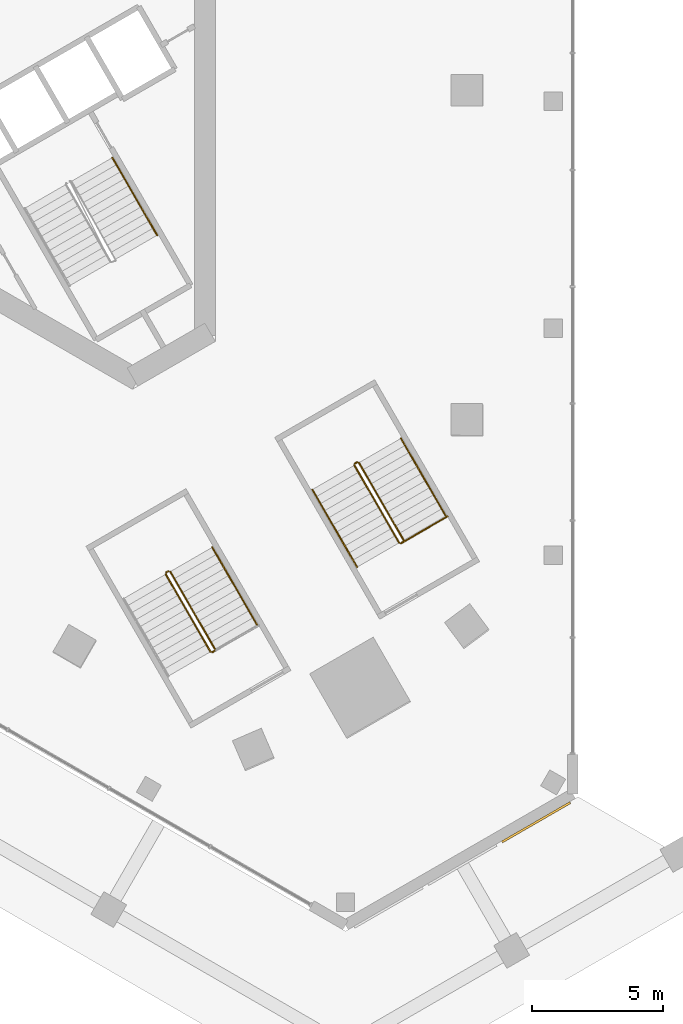
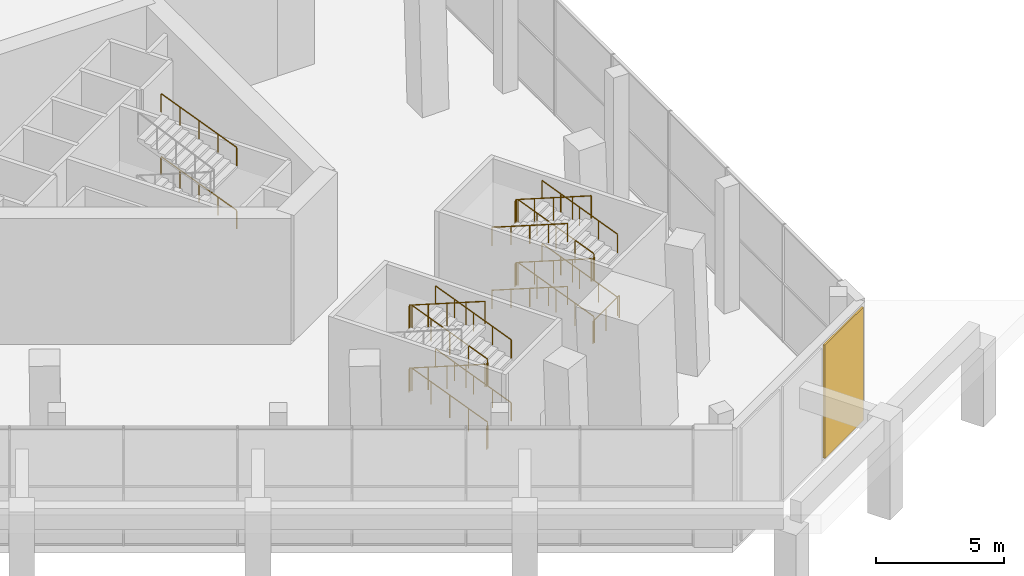
# One storey, part 42 of 51: 25 railings, 1 covering.
"""IFC4 building model written with IfcOpenShell, lengths in metres."""

import ifcopenshell
import ifcopenshell.guid

model = None  # the IFC model being written
_history = None  # IfcOwnerHistory: only IFC2X3 demands one
_inside = {}  # id of a spatial element -> (the spatial element, [elements in it])
_under = {}  # id of a project, library or spatial element -> (it, [spatial elements below it])
_declared = {}  # id of a project -> (the project, [libraries it declares])
_typed = {}  # id of a type object -> (the type object, [elements of that type])
_made_of = {}  # id of a material, layer set ... -> (it, [elements and type objects made of it])


def new_model(schema):
    """Start an empty IFC model of exactly this schema.

    Asked for "IFC4X3", IfcOpenShell would pick the latest addendum, in which some entities
    have other attributes; the version numbers below select the first issue.
    IFC2X3 requires an IfcOwnerHistory on every rooted entity: one is made here for all.
    """
    global model, _history
    if schema == "IFC4X3":
        model = ifcopenshell.file(schema_version=(4, 3, 0, 0))
    else:
        model = ifcopenshell.file(schema=schema)
    _inside.clear()
    _under.clear()
    _declared.clear()
    _typed.clear()
    _made_of.clear()
    _history = None
    if model.schema == "IFC2X3":
        org = make("IfcOrganization", Name="unknown")
        user = make(
            "IfcPersonAndOrganization",
            ThePerson=make("IfcPerson", FamilyName="unknown"),
            TheOrganization=org,
        )
        app = make(
            "IfcApplication",
            ApplicationDeveloper=org,
            Version="unknown",
            ApplicationFullName="unknown",
            ApplicationIdentifier="unknown",
        )
        _history = make(
            "IfcOwnerHistory",
            OwningUser=user,
            OwningApplication=app,
            ChangeAction="ADDED",
            CreationDate=0,
        )
    return model


def make(cls, **values):
    """One entity of the class cls with the attributes given. An attribute that is None is left unset."""
    return model.create_entity(
        cls, **{name: value for name, value in values.items() if value is not None}
    )


def rooted(cls, **values):
    """An entity with a GlobalId (a new one), such as an element, a storey or a relation."""
    return make(cls, GlobalId=ifcopenshell.guid.new(), OwnerHistory=_history, **values)


def si_unit(unit_type, name, prefix=None):
    """IfcSIUnit, for example si_unit("LENGTHUNIT", "METRE", prefix="MILLI")."""
    return make("IfcSIUnit", UnitType=unit_type, Prefix=prefix, Name=name)


def assignment(units):
    """IfcUnitAssignment: the units of a project."""
    return None if units is None else make("IfcUnitAssignment", Units=units)


def point(xyz):
    """IfcCartesianPoint."""
    return None if xyz is None else make("IfcCartesianPoint", Coordinates=xyz)


def direction(xyz):
    """IfcDirection."""
    return None if xyz is None else make("IfcDirection", DirectionRatios=xyz)


def frame(location, z_axis=None, x_axis=None):
    """IfcAxis2Placement3D, a coordinate frame: its origin and axes. An axis left out is left unset."""
    return make(
        "IfcAxis2Placement3D",
        Location=point(location),
        Axis=direction(z_axis),
        RefDirection=direction(x_axis),
    )


def frame_2d(location, x_axis=None):
    """IfcAxis2Placement2D, a coordinate frame in the plane: its origin and x axis."""
    return make(
        "IfcAxis2Placement2D", Location=point(location), RefDirection=direction(x_axis)
    )


def origin():
    """The frame at (0, 0, 0) with its axes left unset."""
    return frame((0.0, 0.0, 0.0))


def origin_2d():
    """The frame at (0, 0) in the plane with its x axis left unset."""
    return frame_2d((0.0, 0.0))


def place(relative_to, where):
    """IfcLocalPlacement: puts the frame where relative to a parent placement (None: the world)."""
    return make(
        "IfcLocalPlacement", PlacementRelTo=relative_to, RelativePlacement=where
    )


def context(
    kind, dimensions, precision=None, world=None, true_north=None, identifier=None
):
    """IfcGeometricRepresentationContext, for example the 3D "Model" context."""
    return make(
        "IfcGeometricRepresentationContext",
        ContextIdentifier=identifier,
        ContextType=kind,
        CoordinateSpaceDimension=dimensions,
        Precision=precision,
        WorldCoordinateSystem=world,
        TrueNorth=true_north,
    )


def subcontext(parent, identifier, kind, view, scale=None):
    """IfcGeometricRepresentationSubContext, for example "Body" below "Model"."""
    return make(
        "IfcGeometricRepresentationSubContext",
        ContextIdentifier=identifier,
        ContextType=kind,
        ParentContext=parent,
        TargetScale=scale,
        TargetView=view,
    )


def project(units=None, contexts=None):
    """IfcProject with its units and contexts."""
    return rooted(
        "IfcProject",
        Name="project",
        RepresentationContexts=contexts,
        UnitsInContext=assignment(units),
    )


def spatial(cls, under=None, at=None, **own):
    """A site, building, storey or space (cls), placed at a placement, below another one or the project."""
    s = rooted(cls, ObjectPlacement=at, **own)
    if under is not None:
        _under.setdefault(under.id(), (under, []))[1].append(s)
    return s


def profile(cls, at=None, kind="AREA", **sizes):
    """A parametric profile (cls). Its sizes go by their IFC names, for example OverallWidth=200.0."""
    return make(cls, ProfileType=kind, Position=at, **sizes)


def rectangle(**sizes):
    """IfcRectangleProfileDef."""
    return profile("IfcRectangleProfileDef", **sizes)


def circle(**sizes):
    """IfcCircleProfileDef."""
    return profile("IfcCircleProfileDef", **sizes)


def extrude(swept, where, along, depth):
    """IfcExtrudedAreaSolid: the profile swept, set in the frame where, extruded along a direction by depth."""
    return make(
        "IfcExtrudedAreaSolid",
        SweptArea=swept,
        Position=where,
        ExtrudedDirection=direction(along),
        Depth=depth,
    )


def shape(context_of_items, identifier, shape_type, items):
    """IfcShapeRepresentation: the items that make up one representation, for example the "Body"."""
    return make(
        "IfcShapeRepresentation",
        ContextOfItems=context_of_items,
        RepresentationIdentifier=identifier,
        RepresentationType=shape_type,
        Items=items,
    )


def material(Name=None, Category=None):
    """IfcMaterial."""
    return make("IfcMaterial", Name=Name, Category=Category)


def layer(
    of_material, thickness, ventilated=None, Name=None, Category=None, Priority=None
):
    """IfcMaterialLayer: one layer of a wall or slab, of a material (None: an air gap)."""
    return make(
        "IfcMaterialLayer",
        Material=of_material,
        LayerThickness=thickness,
        IsVentilated=ventilated,
        Name=Name,
        Category=Category,
        Priority=Priority,
    )


def layer_set(layers, Name=None):
    """IfcMaterialLayerSet."""
    return make("IfcMaterialLayerSet", MaterialLayers=layers, LayerSetName=Name)


def made_of(thing, what):
    """Note that an element or type object is made of a material, layer set ...; save() writes the relation."""
    if what is not None:
        _made_of.setdefault(what.id(), (what, []))[1].append(thing)
    return thing


def type_object(cls, material=None, **own):
    """A type object (cls), such as IfcWallType, which elements share."""
    return made_of(rooted(cls, **own), material)


def element(
    cls,
    number,
    at=None,
    inside=None,
    cuts=None,
    type_object=None,
    material=None,
    context=None,
    identifier="Body",
    shape_type=None,
    held_by="IfcProductDefinitionShape",
    body=None,
    shapes=None,
    **own,
):
    """One element of the class cls, such as IfcWall. Its Tag is "e" and its number.

    at: its placement. inside: the storey or other place that contains it. cuts: it is an
    opening in that element (IfcRelVoidsElement). A single representation is given by context,
    identifier, shape_type and body (its items); several are given by shapes. held_by: the class
    of the entity that holds the representations. save() writes the other relations.
    """
    e = rooted(cls, Tag="e%d" % number, ObjectPlacement=at, **own)
    if body is not None:
        shapes = [shape(context, identifier, shape_type, body)]
    if shapes is not None:
        e.Representation = make(held_by, Representations=shapes)
    if inside is not None:
        _inside.setdefault(inside.id(), (inside, []))[1].append(e)
    if cuts is not None:
        rooted(
            "IfcRelVoidsElement", RelatingBuildingElement=cuts, RelatedOpeningElement=e
        )
    if type_object is not None:
        _typed.setdefault(type_object.id(), (type_object, []))[1].append(e)
    return made_of(e, material)


def aggregate(whole, parts):
    """IfcRelAggregates: a whole, such as a stair, and the parts it consists of."""
    return rooted("IfcRelAggregates", RelatingObject=whole, RelatedObjects=parts)


def save(model, path):
    """Write the relations noted so far, then the file.

    IfcRelAggregates (storeys below a building ...), IfcRelContainedInSpatialStructure (elements
    in a storey), IfcRelDefinesByType, IfcRelAssociatesMaterial and IfcRelDeclares: one each for
    every whole, place, type object, material and project.
    """
    for whole, parts in _under.values():
        aggregate(whole, parts)
    for where, things in _inside.values():
        rooted(
            "IfcRelContainedInSpatialStructure",
            RelatedElements=things,
            RelatingStructure=where,
        )
    for kind, things in _typed.values():
        rooted("IfcRelDefinesByType", RelatedObjects=things, RelatingType=kind)
    for what, things in _made_of.values():
        rooted("IfcRelAssociatesMaterial", RelatedObjects=things, RelatingMaterial=what)
    for by, libraries in _declared.values():
        rooted("IfcRelDeclares", RelatingContext=by, RelatedDefinitions=libraries)
    model.write(path)


model = new_model("IFC4")

# Units and contexts
model_context = context("Model", 3, precision=1e-05, world=origin(), true_north=direction((0.0, 1.0)))
body_context = subcontext(model_context, "Body", "Model", "MODEL_VIEW")
ifc_project = project(units=[si_unit("LENGTHUNIT", "METRE"), si_unit("AREAUNIT", "SQUARE_METRE"), si_unit("VOLUMEUNIT", "CUBIC_METRE"), si_unit("PLANEANGLEUNIT", "RADIAN"), si_unit("MASSUNIT", "GRAM", prefix="KILO")], contexts=[model_context])

# Site, building, storey
site_placement = place(None, origin())
site = spatial("IfcSite", under=ifc_project, at=site_placement, CompositionType="ELEMENT")
building_placement = place(site_placement, origin())
building = spatial("IfcBuilding", under=site, at=building_placement, Name="Jabali Bay Hotel Tower and Convention Centre", CompositionType="ELEMENT")
storey_placement = place(building_placement, frame((0.0, 0.0, 9.0)))
storey = spatial("IfcBuildingStorey", under=building, at=storey_placement, Name="L01", CompositionType="ELEMENT", Elevation=9.0)

# Covering
ifc_material_1 = material(Name="Precast concrete C40/50", Category="concrete")
ifc_layer = layer(ifc_material_1, 0.080078125)
ifc_layer_set = layer_set([ifc_layer], Name="Precast concrete C40/50")
covering_type = type_object("IfcCoveringType", Name="Relief panel 3000 x 5400", PredefinedType="CLADDING", material=ifc_layer_set)
covering_placement = place(storey_placement, frame((102.1044921875, 39.5537109375, 0.10009765625), z_axis=(0.0, 0.0, 1.0), x_axis=(-0.866025402842, -0.500000001632, 0.0)))
element("IfcCovering", 1, at=covering_placement, inside=storey, type_object=covering_type, Name="Relief panel L01", PredefinedType="CLADDING", context=body_context, shape_type="SweptSolid", body=[
    extrude(rectangle(XDim=3.0, YDim=0.080078125, at=origin_2d()), origin(), (0.0, 0.0, 1.0), 5.39990234375),
])

# Railings
ifc_material_2 = material(Name="Steel Q355B", Category="steel")
railing_type_1 = type_object("IfcRailingType", Name="Stair guard 1100", PredefinedType="GUARDRAIL", material=ifc_material_2)
railing_1_placement = place(storey_placement, frame((98.72607421875, 51.205322265625, 0.0)))
element("IfcRailing", 2, at=railing_1_placement, inside=storey, type_object=railing_type_1, Name="L01 PS5 top well guard 1", PredefinedType="GUARDRAIL", context=body_context, shape_type="SweptSolid", body=[
    extrude(circle(Radius=0.02392578125, at=origin_2d()), frame((0.0, 0.0, 1.076171875), z_axis=(-0.865999163574, -0.500045446624, 0.0), x_axis=(0.500045446624, -0.865999163574, 0.0)), (0.0, 0.0, 1.0), 2.050048828125),
    extrude(circle(Radius=0.02099609375, at=origin_2d()), origin(), (0.0, 0.0, 1.0), 1.052001953125),
    extrude(circle(Radius=0.02099609375, at=origin_2d()), frame((-0.8876953125, -0.5126953125, 0.0)), (0.0, 0.0, 1.0), 1.052001953125),
    extrude(circle(Radius=0.02099609375, at=origin_2d()), frame((-1.775390625, -1.025146484375, 0.0)), (0.0, 0.0, 1.0), 1.052001953125),
])
railing_2_placement = place(storey_placement, frame((97.0556640625, 50.298583984375, 0.125)))
element("IfcRailing", 3, at=railing_2_placement, inside=storey, type_object=railing_type_1, Name="L01 PS5 stair guard 1", PredefinedType="GUARDRAIL", context=body_context, shape_type="SweptSolid", body=[
    extrude(circle(Radius=0.02392578125, at=origin_2d()), frame((0.0, 0.0, 1.076171875), z_axis=(-0.463739605653, 0.803177873708, 0.373966417388), x_axis=(-0.866013897511, -0.50001992892, 0.0)), (0.0, 0.0, 1.0), 3.6767578125),
    extrude(circle(Radius=0.02099609375, at=origin_2d()), origin(), (0.0, 0.0, 1.0), 1.052001953125),
    extrude(circle(Radius=0.02099609375, at=origin_2d()), frame((-0.42626953125, 0.73828125, 0.34375)), (0.0, 0.0, 1.0), 1.052001953125),
    extrude(circle(Radius=0.02099609375, at=origin_2d()), frame((-0.8525390625, 1.4765625, 0.6875)), (0.0, 0.0, 1.0), 1.052001953125),
    extrude(circle(Radius=0.02099609375, at=origin_2d()), frame((-1.27880859375, 2.21484375, 1.03125)), (0.0, 0.0, 1.0), 1.052001953125),
    extrude(circle(Radius=0.02099609375, at=origin_2d()), frame((-1.705078125, 2.953125, 1.375)), (0.0, 0.0, 1.0), 1.052001953125),
])
railing_3_placement = place(storey_placement, frame((95.2822265625, 53.27001953125, 1.5)))
element("IfcRailing", 4, at=railing_3_placement, inside=storey, type_object=railing_type_1, Name="L01 PS5 stair guard 2", PredefinedType="GUARDRAIL", context=body_context, shape_type="SweptSolid", body=[
    extrude(circle(Radius=0.02392578125, at=origin_2d()), frame((0.0, 0.0, 1.076171875), z_axis=(-0.865370491644, -0.501132629342, 0.0), x_axis=(0.501132629342, -0.865370491644, 0.0)), (0.0, 0.0, 1.0), 0.099853515625),
    extrude(circle(Radius=0.02099609375, at=origin_2d()), origin(), (0.0, 0.0, 1.0), 1.052001953125),
    extrude(circle(Radius=0.02099609375, at=origin_2d()), frame((-0.08642578125, -0.050048828125, 0.0)), (0.0, 0.0, 1.0), 1.052001953125),
])
railing_4_placement = place(storey_placement, frame((95.177490234375, 53.151611328125, 1.625)))
element("IfcRailing", 5, at=railing_4_placement, inside=storey, type_object=railing_type_1, Name="L01 PS5 stair guard 3", PredefinedType="GUARDRAIL", context=body_context, shape_type="SweptSolid", body=[
    extrude(circle(Radius=0.02392578125, at=origin_2d()), frame((0.0, 0.0, 1.076171875), z_axis=(0.463687482634, -0.803202604889, 0.373977932435), x_axis=(0.866044899352, 0.499966231165, 0.0)), (0.0, 0.0, 1.0), 3.6767578125),
    extrude(circle(Radius=0.02099609375, at=origin_2d()), origin(), (0.0, 0.0, 1.0), 1.052001953125),
    extrude(circle(Radius=0.02099609375, at=origin_2d()), frame((0.42626953125, -0.73828125, 0.34375)), (0.0, 0.0, 1.0), 1.052001953125),
    extrude(circle(Radius=0.02099609375, at=origin_2d()), frame((0.8525390625, -1.4765625, 0.6875)), (0.0, 0.0, 1.0), 1.052001953125),
    extrude(circle(Radius=0.02099609375, at=origin_2d()), frame((1.278564453125, -2.21484375, 1.03125)), (0.0, 0.0, 1.0), 1.052001953125),
    extrude(circle(Radius=0.02099609375, at=origin_2d()), frame((1.704833984375, -2.953125, 1.375)), (0.0, 0.0, 1.0), 1.052001953125),
])
railing_5_placement = place(storey_placement, frame((97.037353515625, 50.230224609375, 3.0)))
element("IfcRailing", 6, at=railing_5_placement, inside=storey, type_object=railing_type_1, Name="L01 PS5 stair guard 4", PredefinedType="GUARDRAIL", context=body_context, shape_type="SweptSolid", body=[
    extrude(circle(Radius=0.02392578125, at=origin_2d()), frame((0.0, 0.0, 1.076171875), z_axis=(-0.865982457891, -0.500074377092, 0.0), x_axis=(0.500074377092, -0.865982457891, 0.0)), (0.0, 0.0, 1.0), 0.10009765625),
    extrude(circle(Radius=0.02099609375, at=origin_2d()), origin(), (0.0, 0.0, 1.0), 1.052001953125),
    extrude(circle(Radius=0.02099609375, at=origin_2d()), frame((-0.086669921875, -0.050048828125, 0.0)), (0.0, 0.0, 1.0), 1.052001953125),
])
railing_6_placement = place(storey_placement, frame((97.0556640625, 50.298583984375, 3.125)))
element("IfcRailing", 7, at=railing_6_placement, inside=storey, type_object=railing_type_1, Name="L01 PS5 stair guard 5", PredefinedType="GUARDRAIL", context=body_context, shape_type="SweptSolid", body=[
    extrude(circle(Radius=0.02392578125, at=origin_2d()), frame((0.0, 0.0, 1.076171875), z_axis=(-0.463739605653, 0.803177873708, 0.373966417388), x_axis=(-0.866013897511, -0.50001992892, 0.0)), (0.0, 0.0, 1.0), 3.6767578125),
    extrude(circle(Radius=0.02099609375, at=origin_2d()), origin(), (0.0, 0.0, 1.0), 1.052001953125),
    extrude(circle(Radius=0.02099609375, at=origin_2d()), frame((-0.42626953125, 0.73828125, 0.34375)), (0.0, 0.0, 1.0), 1.052001953125),
    extrude(circle(Radius=0.02099609375, at=origin_2d()), frame((-0.8525390625, 1.4765625, 0.6875)), (0.0, 0.0, 1.0), 1.052001953125),
    extrude(circle(Radius=0.02099609375, at=origin_2d()), frame((-1.27880859375, 2.21484375, 1.03125)), (0.0, 0.0, 1.0), 1.052001953125),
    extrude(circle(Radius=0.02099609375, at=origin_2d()), frame((-1.705078125, 2.953125, 1.375)), (0.0, 0.0, 1.0), 1.052001953125),
])
railing_7_placement = place(storey_placement, frame((95.2822265625, 53.27001953125, 4.5)))
element("IfcRailing", 8, at=railing_7_placement, inside=storey, type_object=railing_type_1, Name="L01 PS5 stair guard 6", PredefinedType="GUARDRAIL", context=body_context, shape_type="SweptSolid", body=[
    extrude(circle(Radius=0.02392578125, at=origin_2d()), frame((0.0, 0.0, 1.076171875), z_axis=(-0.865370491644, -0.501132629342, 0.0), x_axis=(0.501132629342, -0.865370491644, 0.0)), (0.0, 0.0, 1.0), 0.099853515625),
    extrude(circle(Radius=0.02099609375, at=origin_2d()), origin(), (0.0, 0.0, 1.0), 1.052001953125),
    extrude(circle(Radius=0.02099609375, at=origin_2d()), frame((-0.08642578125, -0.050048828125, 0.0)), (0.0, 0.0, 1.0), 1.052001953125),
])
railing_8_placement = place(storey_placement, frame((95.177490234375, 53.151611328125, 4.625)))
element("IfcRailing", 9, at=railing_8_placement, inside=storey, type_object=railing_type_1, Name="L01 PS5 stair guard 7", PredefinedType="GUARDRAIL", context=body_context, shape_type="SweptSolid", body=[
    extrude(circle(Radius=0.02392578125, at=origin_2d()), frame((0.0, 0.0, 1.076171875), z_axis=(0.463687482634, -0.803202604889, 0.373977932435), x_axis=(0.866044899352, 0.499966231165, 0.0)), (0.0, 0.0, 1.0), 3.6767578125),
    extrude(circle(Radius=0.02099609375, at=origin_2d()), origin(), (0.0, 0.0, 1.0), 1.052001953125),
    extrude(circle(Radius=0.02099609375, at=origin_2d()), frame((0.42626953125, -0.73828125, 0.34375)), (0.0, 0.0, 1.0), 1.052001953125),
    extrude(circle(Radius=0.02099609375, at=origin_2d()), frame((0.8525390625, -1.4765625, 0.6875)), (0.0, 0.0, 1.0), 1.052001953125),
    extrude(circle(Radius=0.02099609375, at=origin_2d()), frame((1.278564453125, -2.21484375, 1.03125)), (0.0, 0.0, 1.0), 1.052001953125),
    extrude(circle(Radius=0.02099609375, at=origin_2d()), frame((1.704833984375, -2.953125, 1.375)), (0.0, 0.0, 1.0), 1.052001953125),
])
railing_9_placement = place(storey_placement, frame((97.037353515625, 50.230224609375, 0.0)))
element("IfcRailing", 10, at=railing_9_placement, inside=storey, type_object=railing_type_1, Name="L01 PS5 stair guard 8", PredefinedType="GUARDRAIL", context=body_context, shape_type="SweptSolid", body=[
    extrude(circle(Radius=0.02392578125, at=origin_2d()), frame((0.0, 0.0, 1.076171875), z_axis=(-0.865982457891, -0.500074377092, 0.0), x_axis=(0.500074377092, -0.865982457891, 0.0)), (0.0, 0.0, 1.0), 0.10009765625),
    extrude(circle(Radius=0.02099609375, at=origin_2d()), origin(), (0.0, 0.0, 1.0), 1.052001953125),
    extrude(circle(Radius=0.02099609375, at=origin_2d()), frame((-0.086669921875, -0.050048828125, 0.0)), (0.0, 0.0, 1.0), 1.052001953125),
])
railing_10_placement = place(storey_placement, frame((89.86767578125, 46.148681640625, 0.125)))
element("IfcRailing", 11, at=railing_10_placement, inside=storey, type_object=railing_type_1, Name="L01 PS6 stair guard 1", PredefinedType="GUARDRAIL", context=body_context, shape_type="SweptSolid", body=[
    extrude(circle(Radius=0.02392578125, at=origin_2d()), frame((0.0, 0.0, 1.076171875), z_axis=(-0.463739605653, 0.803177873708, 0.373966417388), x_axis=(-0.866013897511, -0.50001992892, 0.0)), (0.0, 0.0, 1.0), 3.6767578125),
    extrude(circle(Radius=0.02099609375, at=origin_2d()), origin(), (0.0, 0.0, 1.0), 1.052001953125),
    extrude(circle(Radius=0.02099609375, at=origin_2d()), frame((-0.42626953125, 0.73828125, 0.34375)), (0.0, 0.0, 1.0), 1.052001953125),
    extrude(circle(Radius=0.02099609375, at=origin_2d()), frame((-0.8525390625, 1.4765625, 0.6875)), (0.0, 0.0, 1.0), 1.052001953125),
    extrude(circle(Radius=0.02099609375, at=origin_2d()), frame((-1.27880859375, 2.21484375, 1.03125)), (0.0, 0.0, 1.0), 1.052001953125),
    extrude(circle(Radius=0.02099609375, at=origin_2d()), frame((-1.705078125, 2.953125, 1.375)), (0.0, 0.0, 1.0), 1.052001953125),
])
railing_11_placement = place(storey_placement, frame((88.09423828125, 49.1201171875, 1.5)))
element("IfcRailing", 12, at=railing_11_placement, inside=storey, type_object=railing_type_1, Name="L01 PS6 stair guard 2", PredefinedType="GUARDRAIL", context=body_context, shape_type="SweptSolid", body=[
    extrude(circle(Radius=0.02392578125, at=origin_2d()), frame((0.0, 0.0, 1.076171875), z_axis=(-0.865370491644, -0.501132629342, 0.0), x_axis=(0.501132629342, -0.865370491644, 0.0)), (0.0, 0.0, 1.0), 0.099853515625),
    extrude(circle(Radius=0.02099609375, at=origin_2d()), origin(), (0.0, 0.0, 1.0), 1.052001953125),
    extrude(circle(Radius=0.02099609375, at=origin_2d()), frame((-0.08642578125, -0.050048828125, 0.0)), (0.0, 0.0, 1.0), 1.052001953125),
])
railing_12_placement = place(storey_placement, frame((87.989501953125, 49.001708984375, 1.625)))
element("IfcRailing", 13, at=railing_12_placement, inside=storey, type_object=railing_type_1, Name="L01 PS6 stair guard 3", PredefinedType="GUARDRAIL", context=body_context, shape_type="SweptSolid", body=[
    extrude(circle(Radius=0.02392578125, at=origin_2d()), frame((0.0, 0.0, 1.076171875), z_axis=(0.463687482634, -0.803202604889, 0.373977932435), x_axis=(0.866044899352, 0.499966231165, 0.0)), (0.0, 0.0, 1.0), 3.6767578125),
    extrude(circle(Radius=0.02099609375, at=origin_2d()), origin(), (0.0, 0.0, 1.0), 1.052001953125),
    extrude(circle(Radius=0.02099609375, at=origin_2d()), frame((0.42626953125, -0.73828125, 0.34375)), (0.0, 0.0, 1.0), 1.052001953125),
    extrude(circle(Radius=0.02099609375, at=origin_2d()), frame((0.8525390625, -1.4765625, 0.6875)), (0.0, 0.0, 1.0), 1.052001953125),
    extrude(circle(Radius=0.02099609375, at=origin_2d()), frame((1.278564453125, -2.21484375, 1.03125)), (0.0, 0.0, 1.0), 1.052001953125),
    extrude(circle(Radius=0.02099609375, at=origin_2d()), frame((1.704833984375, -2.953125, 1.375)), (0.0, 0.0, 1.0), 1.052001953125),
])
railing_13_placement = place(storey_placement, frame((89.849365234375, 46.080322265625, 3.0)))
element("IfcRailing", 14, at=railing_13_placement, inside=storey, type_object=railing_type_1, Name="L01 PS6 stair guard 4", PredefinedType="GUARDRAIL", context=body_context, shape_type="SweptSolid", body=[
    extrude(circle(Radius=0.02392578125, at=origin_2d()), frame((0.0, 0.0, 1.076171875), z_axis=(-0.865982457891, -0.500074377092, 0.0), x_axis=(0.500074377092, -0.865982457891, 0.0)), (0.0, 0.0, 1.0), 0.10009765625),
    extrude(circle(Radius=0.02099609375, at=origin_2d()), origin(), (0.0, 0.0, 1.0), 1.052001953125),
    extrude(circle(Radius=0.02099609375, at=origin_2d()), frame((-0.086669921875, -0.050048828125, 0.0)), (0.0, 0.0, 1.0), 1.052001953125),
])
railing_14_placement = place(storey_placement, frame((89.86767578125, 46.148681640625, 3.125)))
element("IfcRailing", 15, at=railing_14_placement, inside=storey, type_object=railing_type_1, Name="L01 PS6 stair guard 5", PredefinedType="GUARDRAIL", context=body_context, shape_type="SweptSolid", body=[
    extrude(circle(Radius=0.02392578125, at=origin_2d()), frame((0.0, 0.0, 1.076171875), z_axis=(-0.463739605653, 0.803177873708, 0.373966417388), x_axis=(-0.866013897511, -0.50001992892, 0.0)), (0.0, 0.0, 1.0), 3.6767578125),
    extrude(circle(Radius=0.02099609375, at=origin_2d()), origin(), (0.0, 0.0, 1.0), 1.052001953125),
    extrude(circle(Radius=0.02099609375, at=origin_2d()), frame((-0.42626953125, 0.73828125, 0.34375)), (0.0, 0.0, 1.0), 1.052001953125),
    extrude(circle(Radius=0.02099609375, at=origin_2d()), frame((-0.8525390625, 1.4765625, 0.6875)), (0.0, 0.0, 1.0), 1.052001953125),
    extrude(circle(Radius=0.02099609375, at=origin_2d()), frame((-1.27880859375, 2.21484375, 1.03125)), (0.0, 0.0, 1.0), 1.052001953125),
    extrude(circle(Radius=0.02099609375, at=origin_2d()), frame((-1.705078125, 2.953125, 1.375)), (0.0, 0.0, 1.0), 1.052001953125),
])
railing_15_placement = place(storey_placement, frame((88.09423828125, 49.1201171875, 4.5)))
element("IfcRailing", 16, at=railing_15_placement, inside=storey, type_object=railing_type_1, Name="L01 PS6 stair guard 6", PredefinedType="GUARDRAIL", context=body_context, shape_type="SweptSolid", body=[
    extrude(circle(Radius=0.02392578125, at=origin_2d()), frame((0.0, 0.0, 1.076171875), z_axis=(-0.865370491644, -0.501132629342, 0.0), x_axis=(0.501132629342, -0.865370491644, 0.0)), (0.0, 0.0, 1.0), 0.099853515625),
    extrude(circle(Radius=0.02099609375, at=origin_2d()), origin(), (0.0, 0.0, 1.0), 1.052001953125),
    extrude(circle(Radius=0.02099609375, at=origin_2d()), frame((-0.08642578125, -0.050048828125, 0.0)), (0.0, 0.0, 1.0), 1.052001953125),
])
railing_16_placement = place(storey_placement, frame((87.989501953125, 49.001708984375, 4.625)))
element("IfcRailing", 17, at=railing_16_placement, inside=storey, type_object=railing_type_1, Name="L01 PS6 stair guard 7", PredefinedType="GUARDRAIL", context=body_context, shape_type="SweptSolid", body=[
    extrude(circle(Radius=0.02392578125, at=origin_2d()), frame((0.0, 0.0, 1.076171875), z_axis=(0.463687482634, -0.803202604889, 0.373977932435), x_axis=(0.866044899352, 0.499966231165, 0.0)), (0.0, 0.0, 1.0), 3.6767578125),
    extrude(circle(Radius=0.02099609375, at=origin_2d()), origin(), (0.0, 0.0, 1.0), 1.052001953125),
    extrude(circle(Radius=0.02099609375, at=origin_2d()), frame((0.42626953125, -0.73828125, 0.34375)), (0.0, 0.0, 1.0), 1.052001953125),
    extrude(circle(Radius=0.02099609375, at=origin_2d()), frame((0.8525390625, -1.4765625, 0.6875)), (0.0, 0.0, 1.0), 1.052001953125),
    extrude(circle(Radius=0.02099609375, at=origin_2d()), frame((1.278564453125, -2.21484375, 1.03125)), (0.0, 0.0, 1.0), 1.052001953125),
    extrude(circle(Radius=0.02099609375, at=origin_2d()), frame((1.704833984375, -2.953125, 1.375)), (0.0, 0.0, 1.0), 1.052001953125),
])
railing_17_placement = place(storey_placement, frame((89.849365234375, 46.080322265625, 0.0)))
element("IfcRailing", 18, at=railing_17_placement, inside=storey, type_object=railing_type_1, Name="L01 PS6 stair guard 8", PredefinedType="GUARDRAIL", context=body_context, shape_type="SweptSolid", body=[
    extrude(circle(Radius=0.02392578125, at=origin_2d()), frame((0.0, 0.0, 1.076171875), z_axis=(-0.865982457891, -0.500074377092, 0.0), x_axis=(0.500074377092, -0.865982457891, 0.0)), (0.0, 0.0, 1.0), 0.10009765625),
    extrude(circle(Radius=0.02099609375, at=origin_2d()), origin(), (0.0, 0.0, 1.0), 1.052001953125),
    extrude(circle(Radius=0.02099609375, at=origin_2d()), frame((-0.086669921875, -0.050048828125, 0.0)), (0.0, 0.0, 1.0), 1.052001953125),
])
railing_type_2 = type_object("IfcRailingType", Name="Stair handrail 900", PredefinedType="HANDRAIL", material=ifc_material_2)
for number, where, name in (
    (19, (87.662109375, 61.918701171875, 1.625), "L01 ST3 stair handrail 2"),
    (20, (87.662109375, 61.918701171875, 4.625), "L01 ST3 stair handrail 4"),
    (21, (98.65771484375, 51.2236328125, 0.125), "L01 PS5 stair handrail 1"),
):
    element("IfcRailing", number, at=place(storey_placement, frame(where)), inside=storey, type_object=railing_type_2, Name=name, PredefinedType="HANDRAIL", context=body_context, shape_type="SweptSolid", body=[
        extrude(circle(Radius=0.02392578125, at=origin_2d()), frame((0.0, 0.0, 0.8759765625), z_axis=(-0.463739605653, 0.803177873708, 0.373966417388), x_axis=(-0.866013897511, -0.50001992892, 0.0)), (0.0, 0.0, 1.0), 3.6767578125),
        extrude(circle(Radius=0.02099609375, at=origin_2d()), origin(), (0.0, 0.0, 1.0), 0.851806640625),
        extrude(circle(Radius=0.02099609375, at=origin_2d()), frame((-0.42626953125, 0.73828125, 0.34375)), (0.0, 0.0, 1.0), 0.851806640625),
        extrude(circle(Radius=0.02099609375, at=origin_2d()), frame((-0.8525390625, 1.4765625, 0.6875)), (0.0, 0.0, 1.0), 0.851806640625),
        extrude(circle(Radius=0.02099609375, at=origin_2d()), frame((-1.27880859375, 2.21484375, 1.03125)), (0.0, 0.0, 1.0), 0.851806640625),
        extrude(circle(Radius=0.02099609375, at=origin_2d()), frame((-1.705078125, 2.953125, 1.375)), (0.0, 0.0, 1.0), 0.851806640625),
    ])
railing_18_placement = place(storey_placement, frame((93.5751953125, 52.226806640625, 1.625)))
element("IfcRailing", 22, at=railing_18_placement, inside=storey, type_object=railing_type_2, Name="L01 PS5 stair handrail 2", PredefinedType="HANDRAIL", context=body_context, shape_type="SweptSolid", body=[
    extrude(circle(Radius=0.02392578125, at=origin_2d()), frame((0.0, 0.0, 0.8759765625), z_axis=(0.463739605653, -0.803177873708, 0.373966417388), x_axis=(0.866013897511, 0.50001992892, 0.0)), (0.0, 0.0, 1.0), 3.6767578125),
    extrude(circle(Radius=0.02099609375, at=origin_2d()), origin(), (0.0, 0.0, 1.0), 0.851806640625),
    extrude(circle(Radius=0.02099609375, at=origin_2d()), frame((0.42626953125, -0.73828125, 0.34375)), (0.0, 0.0, 1.0), 0.851806640625),
    extrude(circle(Radius=0.02099609375, at=origin_2d()), frame((0.8525390625, -1.4765625, 0.6875)), (0.0, 0.0, 1.0), 0.851806640625),
    extrude(circle(Radius=0.02099609375, at=origin_2d()), frame((1.27880859375, -2.21484375, 1.03125)), (0.0, 0.0, 1.0), 0.851806640625),
    extrude(circle(Radius=0.02099609375, at=origin_2d()), frame((1.705078125, -2.953125, 1.375)), (0.0, 0.0, 1.0), 0.851806640625),
])
railing_19_placement = place(storey_placement, frame((98.65771484375, 51.2236328125, 3.125)))
element("IfcRailing", 23, at=railing_19_placement, inside=storey, type_object=railing_type_2, Name="L01 PS5 stair handrail 3", PredefinedType="HANDRAIL", context=body_context, shape_type="SweptSolid", body=[
    extrude(circle(Radius=0.02392578125, at=origin_2d()), frame((0.0, 0.0, 0.8759765625), z_axis=(-0.463739605653, 0.803177873708, 0.373966417388), x_axis=(-0.866013897511, -0.50001992892, 0.0)), (0.0, 0.0, 1.0), 3.6767578125),
    extrude(circle(Radius=0.02099609375, at=origin_2d()), origin(), (0.0, 0.0, 1.0), 0.851806640625),
    extrude(circle(Radius=0.02099609375, at=origin_2d()), frame((-0.42626953125, 0.73828125, 0.34375)), (0.0, 0.0, 1.0), 0.851806640625),
    extrude(circle(Radius=0.02099609375, at=origin_2d()), frame((-0.8525390625, 1.4765625, 0.6875)), (0.0, 0.0, 1.0), 0.851806640625),
    extrude(circle(Radius=0.02099609375, at=origin_2d()), frame((-1.27880859375, 2.21484375, 1.03125)), (0.0, 0.0, 1.0), 0.851806640625),
    extrude(circle(Radius=0.02099609375, at=origin_2d()), frame((-1.705078125, 2.953125, 1.375)), (0.0, 0.0, 1.0), 0.851806640625),
])
railing_20_placement = place(storey_placement, frame((93.5751953125, 52.226806640625, 4.625)))
element("IfcRailing", 24, at=railing_20_placement, inside=storey, type_object=railing_type_2, Name="L01 PS5 stair handrail 4", PredefinedType="HANDRAIL", context=body_context, shape_type="SweptSolid", body=[
    extrude(circle(Radius=0.02392578125, at=origin_2d()), frame((0.0, 0.0, 0.8759765625), z_axis=(0.463739605653, -0.803177873708, 0.373966417388), x_axis=(0.866013897511, 0.50001992892, 0.0)), (0.0, 0.0, 1.0), 3.6767578125),
    extrude(circle(Radius=0.02099609375, at=origin_2d()), origin(), (0.0, 0.0, 1.0), 0.851806640625),
    extrude(circle(Radius=0.02099609375, at=origin_2d()), frame((0.42626953125, -0.73828125, 0.34375)), (0.0, 0.0, 1.0), 0.851806640625),
    extrude(circle(Radius=0.02099609375, at=origin_2d()), frame((0.8525390625, -1.4765625, 0.6875)), (0.0, 0.0, 1.0), 0.851806640625),
    extrude(circle(Radius=0.02099609375, at=origin_2d()), frame((1.27880859375, -2.21484375, 1.03125)), (0.0, 0.0, 1.0), 0.851806640625),
    extrude(circle(Radius=0.02099609375, at=origin_2d()), frame((1.705078125, -2.953125, 1.375)), (0.0, 0.0, 1.0), 0.851806640625),
])
for number, where, name in (
    (25, (91.4697265625, 47.073486328125, 0.125), "L01 PS6 stair handrail 1"),
    (26, (91.4697265625, 47.073486328125, 3.125), "L01 PS6 stair handrail 3"),
):
    element("IfcRailing", number, at=place(storey_placement, frame(where)), inside=storey, type_object=railing_type_2, Name=name, PredefinedType="HANDRAIL", context=body_context, shape_type="SweptSolid", body=[
        extrude(circle(Radius=0.02392578125, at=origin_2d()), frame((0.0, 0.0, 0.8759765625), z_axis=(-0.463739605653, 0.803177873708, 0.373966417388), x_axis=(-0.866013897511, -0.50001992892, 0.0)), (0.0, 0.0, 1.0), 3.6767578125),
        extrude(circle(Radius=0.02099609375, at=origin_2d()), origin(), (0.0, 0.0, 1.0), 0.851806640625),
        extrude(circle(Radius=0.02099609375, at=origin_2d()), frame((-0.42626953125, 0.73828125, 0.34375)), (0.0, 0.0, 1.0), 0.851806640625),
        extrude(circle(Radius=0.02099609375, at=origin_2d()), frame((-0.8525390625, 1.4765625, 0.6875)), (0.0, 0.0, 1.0), 0.851806640625),
        extrude(circle(Radius=0.02099609375, at=origin_2d()), frame((-1.27880859375, 2.21484375, 1.03125)), (0.0, 0.0, 1.0), 0.851806640625),
        extrude(circle(Radius=0.02099609375, at=origin_2d()), frame((-1.705078125, 2.953125, 1.375)), (0.0, 0.0, 1.0), 0.851806640625),
    ])

save(model, "model.ifc")
